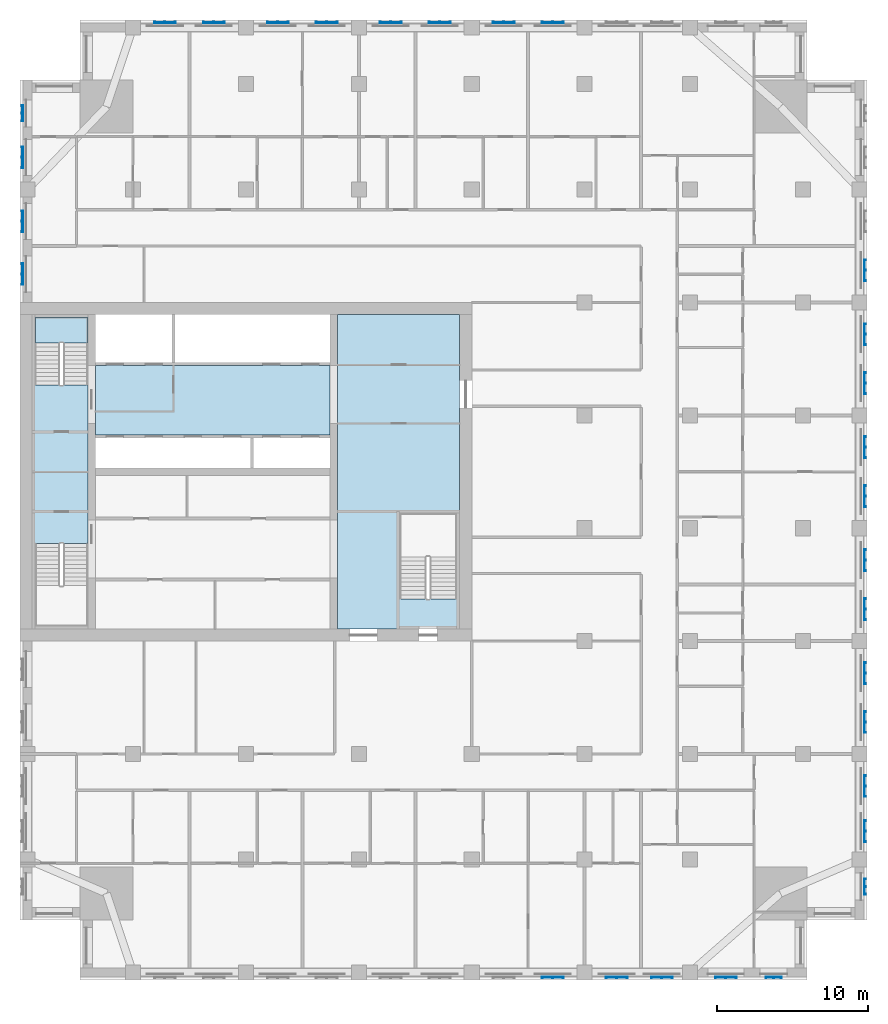
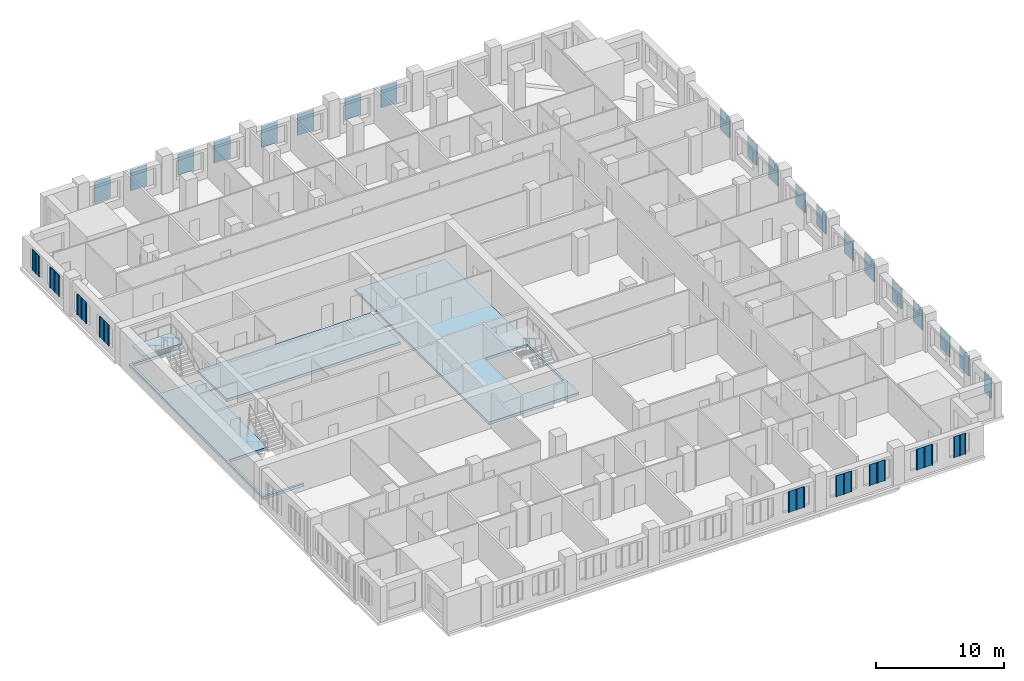
# One storey, part 2 of 14: 29 plates, 4 slabs, 1 element without a shape of its own.
"""IFC4 building model written with IfcOpenShell, lengths in metres."""

from ifc_helpers import new_model, si_unit, direction, frame, origin, place, context, subcontext, project, spatial, polyline, outline, extrude, material, layer, layer_set, type_object, element, aggregate, save


model = new_model("IFC4")

# Units and contexts
model_context = context("Model", 3, precision=1e-05, world=origin(), true_north=direction((0.0, 1.0)))
body_context = subcontext(model_context, "Body", "Model", "MODEL_VIEW")
ifc_project = project(units=[si_unit("LENGTHUNIT", "METRE"), si_unit("AREAUNIT", "SQUARE_METRE"), si_unit("VOLUMEUNIT", "CUBIC_METRE"), si_unit("PLANEANGLEUNIT", "RADIAN"), si_unit("MASSUNIT", "GRAM", prefix="KILO")], contexts=[model_context])

# Site, building, storey
site_placement = place(None, origin())
site = spatial("IfcSite", under=ifc_project, at=site_placement, CompositionType="ELEMENT")
building_placement = place(site_placement, origin())
building = spatial("IfcBuilding", under=site, at=building_placement, Name="Tamorin Gate", CompositionType="ELEMENT")
storey_placement = place(building_placement, frame((0.0, 0.0, 148.199951171875)))
storey = spatial("IfcBuildingStorey", under=building, at=storey_placement, Name="L36", CompositionType="ELEMENT", Elevation=148.199951171875)

# Slabs
ifc_material_1 = material(Name="Concrete C40/50", Category="concrete")
ifc_layer_1 = layer(ifc_material_1, 0.25)
ifc_layer_set_1 = layer_set([ifc_layer_1], Name="Core floor slab 250 C40/50")
slab_type_1 = type_object("IfcSlabType", Name="Core floor slab 250 C40/50", PredefinedType="FLOOR", material=ifc_layer_set_1)
slab_1_placement = place(storey_placement, frame((0.0, 0.0, -0.25)))
element("IfcSlab", 1, at=slab_1_placement, inside=storey, type_object=slab_type_1, Name="Core floor L36", PredefinedType="FLOOR", context=body_context, shape_type="SweptSolid", body=[
    extrude(outline(polyline([(51.10009765625, 81.699951171875), (59.199951171875, 81.699951171875), (59.199951171875, 60.800048828125), (51.10009765625, 60.800048828125), (51.10009765625, 81.699951171875)]), holes=[polyline([(55.199951171875, 62.800048828125), (59.0, 62.800048828125), (59.0, 68.5), (55.199951171875, 68.5), (55.199951171875, 62.800048828125)])]), origin(), (0.0, 0.0, 1.0), 0.25),
])
slab_2_placement = place(storey_placement, frame((0.0, 0.0, -0.25)))
element("IfcSlab", 2, at=slab_2_placement, inside=storey, type_object=slab_type_1, Name="Core floor L36", PredefinedType="FLOOR", context=body_context, shape_type="SweptSolid", body=[
    extrude(outline(polyline([(50.60009765625, 73.699951171875), (35.0, 73.699951171875), (35.0, 78.300048828125), (50.60009765625, 78.300048828125), (50.60009765625, 73.699951171875)])), origin(), (0.0, 0.0, 1.0), 0.25),
])
slab_3_placement = place(storey_placement, frame((0.0, 0.0, -0.25)))
element("IfcSlab", 3, at=slab_3_placement, inside=storey, type_object=slab_type_1, Name="Core floor L36", PredefinedType="FLOOR", context=body_context, shape_type="SweptSolid", body=[
    extrude(outline(polyline([(34.5, 60.800048828125), (30.800048828125, 60.800048828125), (30.800048828125, 81.699951171875), (34.5, 81.699951171875), (34.5, 81.5), (31.0, 81.5), (31.0, 77.0), (34.5, 77.0), (34.5, 66.5), (31.0, 66.5), (31.0, 61.0), (34.5, 61.0), (34.5, 60.800048828125)])), origin(), (0.0, 0.0, 1.0), 0.25),
])

# Stair, slab
stair_type = type_object("IfcStairType", Name="Exit stair", PredefinedType="HALF_TURN_STAIR", material=ifc_material_1)
stair_placement = place(storey_placement, origin())
stair = element("IfcStair", 4, at=stair_placement, inside=storey, type_object=stair_type, Name="L36 stair ST2", PredefinedType="HALF_TURN_STAIR")
ifc_layer_2 = layer(ifc_material_1, 0.199951171875)
ifc_layer_set_2 = layer_set([ifc_layer_2], Name="Exit stair landing 200")
slab_type_2 = type_object("IfcSlabType", Name="Exit stair landing 200", PredefinedType="LANDING", material=ifc_layer_set_2)
slab_4_placement = place(storey_placement, frame((0.0, 0.0, 1.60009765625)))
slab_4 = element("IfcSlab", 5, at=slab_4_placement, type_object=slab_type_2, Name="ST2 landing 1", PredefinedType="LANDING", context=body_context, shape_type="SweptSolid", body=[
    extrude(outline(polyline([(34.5, 79.800048828125), (34.5, 81.5), (31.0, 81.5), (31.0, 79.800048828125), (34.5, 79.800048828125)])), origin(), (0.0, 0.0, 1.0), 0.199951171875),
])
aggregate(stair, [slab_4])

# Plates
ifc_material_2 = material(Name="Perforated pale aluminium sheet", Category="aluminium")
ifc_layer_3 = layer(ifc_material_2, 0.0400390625)
ifc_layer_set_3 = layer_set([ifc_layer_3], Name="Pale metal solar screen 1080")
plate_type_1 = type_object("IfcPlateType", Name="Pale metal solar screen 1080", PredefinedType="SHEET", material=ifc_layer_set_3)
plate_1_placement = place(storey_placement, frame((0.0, 0.0, 0.7099609375)))
element("IfcPlate", 6, at=plate_1_placement, inside=storey, type_object=plate_type_1, Name="Perforated solar screen", PredefinedType="SHEET", context=body_context, shape_type="SweptSolid", body=[
    extrude(outline(polyline([(79.510009765625, 37.659912109375), (79.510009765625, 37.699951171875), (79.570068359375, 37.699951171875), (80.02001953125, 37.699951171875), (80.080078125, 37.699951171875), (80.530029296875, 37.699951171875), (80.590087890625, 37.699951171875), (80.590087890625, 37.659912109375), (80.590087890625, 37.60009765625), (80.530029296875, 37.60009765625), (80.530029296875, 37.659912109375), (80.080078125, 37.659912109375), (80.080078125, 37.60009765625), (80.02001953125, 37.60009765625), (80.02001953125, 37.659912109375), (79.570068359375, 37.659912109375), (79.570068359375, 37.60009765625), (79.510009765625, 37.60009765625), (79.510009765625, 37.659912109375)])), origin(), (0.0, 0.0, 1.0), 1.97998046875),
])
plate_2_placement = place(storey_placement, frame((0.0, 0.0, 0.7099609375)))
element("IfcPlate", 7, at=plate_2_placement, inside=storey, type_object=plate_type_1, Name="Perforated solar screen", PredefinedType="SHEET", context=body_context, shape_type="SweptSolid", body=[
    extrude(outline(polyline([(86.090087890625, 43.159912109375), (86.050048828125, 43.159912109375), (86.050048828125, 43.219970703125), (86.050048828125, 43.669921875), (86.050048828125, 43.72998046875), (86.050048828125, 44.179931640625), (86.050048828125, 44.239990234375), (86.090087890625, 44.239990234375), (86.14990234375, 44.239990234375), (86.14990234375, 44.179931640625), (86.090087890625, 44.179931640625), (86.090087890625, 43.72998046875), (86.14990234375, 43.72998046875), (86.14990234375, 43.669921875), (86.090087890625, 43.669921875), (86.090087890625, 43.219970703125), (86.14990234375, 43.219970703125), (86.14990234375, 43.159912109375), (86.090087890625, 43.159912109375)])), origin(), (0.0, 0.0, 1.0), 1.97998046875),
])
plate_3_placement = place(storey_placement, frame((0.0, 0.0, 0.7099609375)))
element("IfcPlate", 8, at=plate_3_placement, inside=storey, type_object=plate_type_1, Name="Perforated solar screen", PredefinedType="SHEET", context=body_context, shape_type="SweptSolid", body=[
    extrude(outline(polyline([(30.159912109375, 95.590087890625), (30.199951171875, 95.590087890625), (30.199951171875, 95.530029296875), (30.199951171875, 95.080078125), (30.199951171875, 95.02001953125), (30.199951171875, 94.570068359375), (30.199951171875, 94.510009765625), (30.159912109375, 94.510009765625), (30.10009765625, 94.510009765625), (30.10009765625, 94.570068359375), (30.159912109375, 94.570068359375), (30.159912109375, 95.02001953125), (30.10009765625, 95.02001953125), (30.10009765625, 95.080078125), (30.159912109375, 95.080078125), (30.159912109375, 95.530029296875), (30.10009765625, 95.530029296875), (30.10009765625, 95.590087890625), (30.159912109375, 95.590087890625)])), origin(), (0.0, 0.0, 1.0), 1.97998046875),
])
ifc_layer_4 = layer(ifc_material_2, 0.0400390625)
ifc_layer_set_4 = layer_set([ifc_layer_4], Name="Pale metal solar screen 1440")
plate_type_2 = type_object("IfcPlateType", Name="Pale metal solar screen 1440", PredefinedType="SHEET", material=ifc_layer_set_4)
plate_4_placement = place(storey_placement, frame((0.0, 0.0, 0.7099609375)))
element("IfcPlate", 9, at=plate_4_placement, inside=storey, type_object=plate_type_2, Name="Perforated solar screen", PredefinedType="SHEET", context=body_context, shape_type="SweptSolid", body=[
    extrude(outline(polyline([(64.655029296875, 37.659912109375), (64.655029296875, 37.699951171875), (64.715087890625, 37.699951171875), (65.344970703125, 37.699951171875), (65.405029296875, 37.699951171875), (66.034912109375, 37.699951171875), (66.094970703125, 37.699951171875), (66.094970703125, 37.659912109375), (66.094970703125, 37.60009765625), (66.034912109375, 37.60009765625), (66.034912109375, 37.659912109375), (65.405029296875, 37.659912109375), (65.405029296875, 37.60009765625), (65.344970703125, 37.60009765625), (65.344970703125, 37.659912109375), (64.715087890625, 37.659912109375), (64.715087890625, 37.60009765625), (64.655029296875, 37.60009765625), (64.655029296875, 37.659912109375)])), origin(), (0.0, 0.0, 1.0), 1.97998046875),
])
plate_5_placement = place(storey_placement, frame((0.0, 0.0, 0.7099609375)))
element("IfcPlate", 10, at=plate_5_placement, inside=storey, type_object=plate_type_2, Name="Perforated solar screen", PredefinedType="SHEET", context=body_context, shape_type="SweptSolid", body=[
    extrude(outline(polyline([(68.905029296875, 37.659912109375), (68.905029296875, 37.699951171875), (68.965087890625, 37.699951171875), (69.594970703125, 37.699951171875), (69.655029296875, 37.699951171875), (70.284912109375, 37.699951171875), (70.344970703125, 37.699951171875), (70.344970703125, 37.659912109375), (70.344970703125, 37.60009765625), (70.284912109375, 37.60009765625), (70.284912109375, 37.659912109375), (69.655029296875, 37.659912109375), (69.655029296875, 37.60009765625), (69.594970703125, 37.60009765625), (69.594970703125, 37.659912109375), (68.965087890625, 37.659912109375), (68.965087890625, 37.60009765625), (68.905029296875, 37.60009765625), (68.905029296875, 37.659912109375)])), origin(), (0.0, 0.0, 1.0), 1.97998046875),
])
plate_6_placement = place(storey_placement, frame((0.0, 0.0, 0.7099609375)))
element("IfcPlate", 11, at=plate_6_placement, inside=storey, type_object=plate_type_2, Name="Perforated solar screen", PredefinedType="SHEET", context=body_context, shape_type="SweptSolid", body=[
    extrude(outline(polyline([(71.905029296875, 37.659912109375), (71.905029296875, 37.699951171875), (71.965087890625, 37.699951171875), (72.594970703125, 37.699951171875), (72.655029296875, 37.699951171875), (73.284912109375, 37.699951171875), (73.344970703125, 37.699951171875), (73.344970703125, 37.659912109375), (73.344970703125, 37.60009765625), (73.284912109375, 37.60009765625), (73.284912109375, 37.659912109375), (72.655029296875, 37.659912109375), (72.655029296875, 37.60009765625), (72.594970703125, 37.60009765625), (72.594970703125, 37.659912109375), (71.965087890625, 37.659912109375), (71.965087890625, 37.60009765625), (71.905029296875, 37.60009765625), (71.905029296875, 37.659912109375)])), origin(), (0.0, 0.0, 1.0), 1.97998046875),
])
plate_7_placement = place(storey_placement, frame((0.0, 0.0, 0.7099609375)))
element("IfcPlate", 12, at=plate_7_placement, inside=storey, type_object=plate_type_2, Name="Perforated solar screen", PredefinedType="SHEET", context=body_context, shape_type="SweptSolid", body=[
    extrude(outline(polyline([(76.155029296875, 37.659912109375), (76.155029296875, 37.699951171875), (76.215087890625, 37.699951171875), (76.844970703125, 37.699951171875), (76.905029296875, 37.699951171875), (77.534912109375, 37.699951171875), (77.594970703125, 37.699951171875), (77.594970703125, 37.659912109375), (77.594970703125, 37.60009765625), (77.534912109375, 37.60009765625), (77.534912109375, 37.659912109375), (76.905029296875, 37.659912109375), (76.905029296875, 37.60009765625), (76.844970703125, 37.60009765625), (76.844970703125, 37.659912109375), (76.215087890625, 37.659912109375), (76.215087890625, 37.60009765625), (76.155029296875, 37.60009765625), (76.155029296875, 37.659912109375)])), origin(), (0.0, 0.0, 1.0), 1.97998046875),
])
plate_8_placement = place(storey_placement, frame((0.0, 0.0, 0.7099609375)))
element("IfcPlate", 13, at=plate_8_placement, inside=storey, type_object=plate_type_2, Name="Perforated solar screen", PredefinedType="SHEET", context=body_context, shape_type="SweptSolid", body=[
    extrude(outline(polyline([(86.090087890625, 46.655029296875), (86.050048828125, 46.655029296875), (86.050048828125, 46.715087890625), (86.050048828125, 47.344970703125), (86.050048828125, 47.405029296875), (86.050048828125, 48.034912109375), (86.050048828125, 48.094970703125), (86.050048828125, 48.094970703125), (86.090087890625, 48.094970703125), (86.090087890625, 48.094970703125), (86.14990234375, 48.094970703125), (86.14990234375, 48.034912109375), (86.090087890625, 48.034912109375), (86.090087890625, 47.405029296875), (86.14990234375, 47.405029296875), (86.14990234375, 47.344970703125), (86.090087890625, 47.344970703125), (86.090087890625, 46.715087890625), (86.14990234375, 46.715087890625), (86.14990234375, 46.655029296875), (86.090087890625, 46.655029296875)])), origin(), (0.0, 0.0, 1.0), 1.97998046875),
])
plate_9_placement = place(storey_placement, frame((0.0, 0.0, 0.7099609375)))
element("IfcPlate", 14, at=plate_9_placement, inside=storey, type_object=plate_type_2, Name="Perforated solar screen", PredefinedType="SHEET", context=body_context, shape_type="SweptSolid", body=[
    extrude(outline(polyline([(86.090087890625, 49.655029296875), (86.050048828125, 49.655029296875), (86.050048828125, 49.715087890625), (86.050048828125, 50.344970703125), (86.050048828125, 50.405029296875), (86.050048828125, 51.034912109375), (86.050048828125, 51.094970703125), (86.090087890625, 51.094970703125), (86.14990234375, 51.094970703125), (86.14990234375, 51.034912109375), (86.090087890625, 51.034912109375), (86.090087890625, 50.405029296875), (86.14990234375, 50.405029296875), (86.14990234375, 50.344970703125), (86.090087890625, 50.344970703125), (86.090087890625, 49.715087890625), (86.14990234375, 49.715087890625), (86.14990234375, 49.655029296875), (86.090087890625, 49.655029296875)])), origin(), (0.0, 0.0, 1.0), 1.97998046875),
])
plate_10_placement = place(storey_placement, frame((0.0, 0.0, 0.7099609375)))
element("IfcPlate", 15, at=plate_10_placement, inside=storey, type_object=plate_type_2, Name="Perforated solar screen", PredefinedType="SHEET", context=body_context, shape_type="SweptSolid", body=[
    extrude(outline(polyline([(86.090087890625, 53.905029296875), (86.050048828125, 53.905029296875), (86.050048828125, 53.965087890625), (86.050048828125, 54.594970703125), (86.050048828125, 54.655029296875), (86.050048828125, 55.284912109375), (86.050048828125, 55.344970703125), (86.090087890625, 55.344970703125), (86.14990234375, 55.344970703125), (86.14990234375, 55.284912109375), (86.090087890625, 55.284912109375), (86.090087890625, 54.655029296875), (86.14990234375, 54.655029296875), (86.14990234375, 54.594970703125), (86.090087890625, 54.594970703125), (86.090087890625, 53.965087890625), (86.14990234375, 53.965087890625), (86.14990234375, 53.905029296875), (86.090087890625, 53.905029296875)])), origin(), (0.0, 0.0, 1.0), 1.97998046875),
])
plate_11_placement = place(storey_placement, frame((0.0, 0.0, 0.7099609375)))
element("IfcPlate", 16, at=plate_11_placement, inside=storey, type_object=plate_type_2, Name="Perforated solar screen", PredefinedType="SHEET", context=body_context, shape_type="SweptSolid", body=[
    extrude(outline(polyline([(86.090087890625, 57.155029296875), (86.050048828125, 57.155029296875), (86.050048828125, 57.215087890625), (86.050048828125, 57.844970703125), (86.050048828125, 57.905029296875), (86.050048828125, 58.534912109375), (86.050048828125, 58.594970703125), (86.090087890625, 58.594970703125), (86.14990234375, 58.594970703125), (86.14990234375, 58.534912109375), (86.090087890625, 58.534912109375), (86.090087890625, 57.905029296875), (86.14990234375, 57.905029296875), (86.14990234375, 57.844970703125), (86.090087890625, 57.844970703125), (86.090087890625, 57.215087890625), (86.14990234375, 57.215087890625), (86.14990234375, 57.155029296875), (86.090087890625, 57.155029296875)])), origin(), (0.0, 0.0, 1.0), 1.97998046875),
])
plate_12_placement = place(storey_placement, frame((0.0, 0.0, 0.7099609375)))
element("IfcPlate", 17, at=plate_12_placement, inside=storey, type_object=plate_type_2, Name="Perforated solar screen", PredefinedType="SHEET", context=body_context, shape_type="SweptSolid", body=[
    extrude(outline(polyline([(86.090087890625, 61.405029296875), (86.050048828125, 61.405029296875), (86.050048828125, 61.465087890625), (86.050048828125, 62.094970703125), (86.050048828125, 62.155029296875), (86.050048828125, 62.784912109375), (86.050048828125, 62.844970703125), (86.090087890625, 62.844970703125), (86.14990234375, 62.844970703125), (86.14990234375, 62.784912109375), (86.090087890625, 62.784912109375), (86.090087890625, 62.155029296875), (86.14990234375, 62.155029296875), (86.14990234375, 62.094970703125), (86.090087890625, 62.094970703125), (86.090087890625, 61.465087890625), (86.14990234375, 61.465087890625), (86.14990234375, 61.405029296875), (86.090087890625, 61.405029296875)])), origin(), (0.0, 0.0, 1.0), 1.97998046875),
])
plate_13_placement = place(storey_placement, frame((0.0, 0.0, 0.7099609375)))
element("IfcPlate", 18, at=plate_13_placement, inside=storey, type_object=plate_type_2, Name="Perforated solar screen", PredefinedType="SHEET", context=body_context, shape_type="SweptSolid", body=[
    extrude(outline(polyline([(86.090087890625, 64.655029296875), (86.050048828125, 64.655029296875), (86.050048828125, 64.715087890625), (86.050048828125, 65.344970703125), (86.050048828125, 65.405029296875), (86.050048828125, 66.034912109375), (86.050048828125, 66.094970703125), (86.090087890625, 66.094970703125), (86.14990234375, 66.094970703125), (86.14990234375, 66.034912109375), (86.090087890625, 66.034912109375), (86.090087890625, 65.405029296875), (86.14990234375, 65.405029296875), (86.14990234375, 65.344970703125), (86.090087890625, 65.344970703125), (86.090087890625, 64.715087890625), (86.14990234375, 64.715087890625), (86.14990234375, 64.655029296875), (86.090087890625, 64.655029296875)])), origin(), (0.0, 0.0, 1.0), 1.97998046875),
])
plate_14_placement = place(storey_placement, frame((0.0, 0.0, 0.7099609375)))
element("IfcPlate", 19, at=plate_14_placement, inside=storey, type_object=plate_type_2, Name="Perforated solar screen", PredefinedType="SHEET", context=body_context, shape_type="SweptSolid", body=[
    extrude(outline(polyline([(86.090087890625, 68.905029296875), (86.050048828125, 68.905029296875), (86.050048828125, 68.965087890625), (86.050048828125, 69.594970703125), (86.050048828125, 69.655029296875), (86.050048828125, 70.284912109375), (86.050048828125, 70.344970703125), (86.090087890625, 70.344970703125), (86.14990234375, 70.344970703125), (86.14990234375, 70.284912109375), (86.090087890625, 70.284912109375), (86.090087890625, 69.655029296875), (86.14990234375, 69.655029296875), (86.14990234375, 69.594970703125), (86.090087890625, 69.594970703125), (86.090087890625, 68.965087890625), (86.14990234375, 68.965087890625), (86.14990234375, 68.905029296875), (86.090087890625, 68.905029296875)])), origin(), (0.0, 0.0, 1.0), 1.97998046875),
])
plate_15_placement = place(storey_placement, frame((0.0, 0.0, 0.7099609375)))
element("IfcPlate", 20, at=plate_15_placement, inside=storey, type_object=plate_type_2, Name="Perforated solar screen", PredefinedType="SHEET", context=body_context, shape_type="SweptSolid", body=[
    extrude(outline(polyline([(86.090087890625, 72.155029296875), (86.050048828125, 72.155029296875), (86.050048828125, 72.215087890625), (86.050048828125, 72.844970703125), (86.050048828125, 72.905029296875), (86.050048828125, 73.534912109375), (86.050048828125, 73.594970703125), (86.090087890625, 73.594970703125), (86.14990234375, 73.594970703125), (86.14990234375, 73.534912109375), (86.090087890625, 73.534912109375), (86.090087890625, 72.905029296875), (86.14990234375, 72.905029296875), (86.14990234375, 72.844970703125), (86.090087890625, 72.844970703125), (86.090087890625, 72.215087890625), (86.14990234375, 72.215087890625), (86.14990234375, 72.155029296875), (86.090087890625, 72.155029296875)])), origin(), (0.0, 0.0, 1.0), 1.97998046875),
])
plate_16_placement = place(storey_placement, frame((0.0, 0.0, 0.7099609375)))
element("IfcPlate", 21, at=plate_16_placement, inside=storey, type_object=plate_type_2, Name="Perforated solar screen", PredefinedType="SHEET", context=body_context, shape_type="SweptSolid", body=[
    extrude(outline(polyline([(86.090087890625, 76.405029296875), (86.050048828125, 76.405029296875), (86.050048828125, 76.465087890625), (86.050048828125, 77.094970703125), (86.050048828125, 77.155029296875), (86.050048828125, 77.784912109375), (86.050048828125, 77.844970703125), (86.090087890625, 77.844970703125), (86.14990234375, 77.844970703125), (86.14990234375, 77.784912109375), (86.090087890625, 77.784912109375), (86.090087890625, 77.155029296875), (86.14990234375, 77.155029296875), (86.14990234375, 77.094970703125), (86.090087890625, 77.094970703125), (86.090087890625, 76.465087890625), (86.14990234375, 76.465087890625), (86.14990234375, 76.405029296875), (86.090087890625, 76.405029296875)])), origin(), (0.0, 0.0, 1.0), 1.97998046875),
])
plate_17_placement = place(storey_placement, frame((0.0, 0.0, 0.7099609375)))
element("IfcPlate", 22, at=plate_17_placement, inside=storey, type_object=plate_type_2, Name="Perforated solar screen", PredefinedType="SHEET", context=body_context, shape_type="SweptSolid", body=[
    extrude(outline(polyline([(86.090087890625, 79.655029296875), (86.050048828125, 79.655029296875), (86.050048828125, 79.715087890625), (86.050048828125, 80.344970703125), (86.050048828125, 80.405029296875), (86.050048828125, 81.034912109375), (86.050048828125, 81.094970703125), (86.090087890625, 81.094970703125), (86.14990234375, 81.094970703125), (86.14990234375, 81.034912109375), (86.090087890625, 81.034912109375), (86.090087890625, 80.405029296875), (86.14990234375, 80.405029296875), (86.14990234375, 80.344970703125), (86.090087890625, 80.344970703125), (86.090087890625, 79.715087890625), (86.14990234375, 79.715087890625), (86.14990234375, 79.655029296875), (86.090087890625, 79.655029296875)])), origin(), (0.0, 0.0, 1.0), 1.97998046875),
])
plate_18_placement = place(storey_placement, frame((0.0, 0.0, 0.7099609375)))
element("IfcPlate", 23, at=plate_18_placement, inside=storey, type_object=plate_type_2, Name="Perforated solar screen", PredefinedType="SHEET", context=body_context, shape_type="SweptSolid", body=[
    extrude(outline(polyline([(86.090087890625, 83.905029296875), (86.050048828125, 83.905029296875), (86.050048828125, 83.965087890625), (86.050048828125, 84.594970703125), (86.050048828125, 84.655029296875), (86.050048828125, 85.284912109375), (86.050048828125, 85.344970703125), (86.090087890625, 85.344970703125), (86.14990234375, 85.344970703125), (86.14990234375, 85.284912109375), (86.090087890625, 85.284912109375), (86.090087890625, 84.655029296875), (86.14990234375, 84.655029296875), (86.14990234375, 84.594970703125), (86.090087890625, 84.594970703125), (86.090087890625, 83.965087890625), (86.14990234375, 83.965087890625), (86.14990234375, 83.905029296875), (86.090087890625, 83.905029296875)])), origin(), (0.0, 0.0, 1.0), 1.97998046875),
])
plate_19_placement = place(storey_placement, frame((0.0, 0.0, 0.7099609375)))
element("IfcPlate", 24, at=plate_19_placement, inside=storey, type_object=plate_type_2, Name="Perforated solar screen", PredefinedType="SHEET", context=body_context, shape_type="SweptSolid", body=[
    extrude(outline(polyline([(62.844970703125, 101.090087890625), (62.844970703125, 101.050048828125), (62.784912109375, 101.050048828125), (62.155029296875, 101.050048828125), (62.094970703125, 101.050048828125), (61.465087890625, 101.050048828125), (61.405029296875, 101.050048828125), (61.405029296875, 101.090087890625), (61.405029296875, 101.14990234375), (61.465087890625, 101.14990234375), (61.465087890625, 101.090087890625), (62.094970703125, 101.090087890625), (62.094970703125, 101.14990234375), (62.155029296875, 101.14990234375), (62.155029296875, 101.090087890625), (62.784912109375, 101.090087890625), (62.784912109375, 101.14990234375), (62.844970703125, 101.14990234375), (62.844970703125, 101.090087890625)])), origin(), (0.0, 0.0, 1.0), 1.97998046875),
])
plate_20_placement = place(storey_placement, frame((0.0, 0.0, 0.7099609375)))
element("IfcPlate", 25, at=plate_20_placement, inside=storey, type_object=plate_type_2, Name="Perforated solar screen", PredefinedType="SHEET", context=body_context, shape_type="SweptSolid", body=[
    extrude(outline(polyline([(66.094970703125, 101.090087890625), (66.094970703125, 101.050048828125), (66.034912109375, 101.050048828125), (65.405029296875, 101.050048828125), (65.344970703125, 101.050048828125), (64.715087890625, 101.050048828125), (64.655029296875, 101.050048828125), (64.655029296875, 101.090087890625), (64.655029296875, 101.14990234375), (64.715087890625, 101.14990234375), (64.715087890625, 101.090087890625), (65.344970703125, 101.090087890625), (65.344970703125, 101.14990234375), (65.405029296875, 101.14990234375), (65.405029296875, 101.090087890625), (66.034912109375, 101.090087890625), (66.034912109375, 101.14990234375), (66.094970703125, 101.14990234375), (66.094970703125, 101.090087890625)])), origin(), (0.0, 0.0, 1.0), 1.97998046875),
])
plate_21_placement = place(storey_placement, frame((0.0, 0.0, 0.7099609375)))
element("IfcPlate", 26, at=plate_21_placement, inside=storey, type_object=plate_type_2, Name="Perforated solar screen", PredefinedType="SHEET", context=body_context, shape_type="SweptSolid", body=[
    extrude(outline(polyline([(55.344970703125, 101.090087890625), (55.344970703125, 101.050048828125), (55.284912109375, 101.050048828125), (54.655029296875, 101.050048828125), (54.594970703125, 101.050048828125), (53.965087890625, 101.050048828125), (53.905029296875, 101.050048828125), (53.905029296875, 101.090087890625), (53.905029296875, 101.14990234375), (53.965087890625, 101.14990234375), (53.965087890625, 101.090087890625), (54.594970703125, 101.090087890625), (54.594970703125, 101.14990234375), (54.655029296875, 101.14990234375), (54.655029296875, 101.090087890625), (55.284912109375, 101.090087890625), (55.284912109375, 101.14990234375), (55.344970703125, 101.14990234375), (55.344970703125, 101.090087890625)])), origin(), (0.0, 0.0, 1.0), 1.97998046875),
])
plate_22_placement = place(storey_placement, frame((0.0, 0.0, 0.7099609375)))
element("IfcPlate", 27, at=plate_22_placement, inside=storey, type_object=plate_type_2, Name="Perforated solar screen", PredefinedType="SHEET", context=body_context, shape_type="SweptSolid", body=[
    extrude(outline(polyline([(58.594970703125, 101.090087890625), (58.594970703125, 101.050048828125), (58.534912109375, 101.050048828125), (57.905029296875, 101.050048828125), (57.844970703125, 101.050048828125), (57.215087890625, 101.050048828125), (57.155029296875, 101.050048828125), (57.155029296875, 101.090087890625), (57.155029296875, 101.14990234375), (57.215087890625, 101.14990234375), (57.215087890625, 101.090087890625), (57.844970703125, 101.090087890625), (57.844970703125, 101.14990234375), (57.905029296875, 101.14990234375), (57.905029296875, 101.090087890625), (58.534912109375, 101.090087890625), (58.534912109375, 101.14990234375), (58.594970703125, 101.14990234375), (58.594970703125, 101.090087890625)])), origin(), (0.0, 0.0, 1.0), 1.97998046875),
])
plate_23_placement = place(storey_placement, frame((0.0, 0.0, 0.7099609375)))
element("IfcPlate", 28, at=plate_23_placement, inside=storey, type_object=plate_type_2, Name="Perforated solar screen", PredefinedType="SHEET", context=body_context, shape_type="SweptSolid", body=[
    extrude(outline(polyline([(47.844970703125, 101.090087890625), (47.844970703125, 101.050048828125), (47.784912109375, 101.050048828125), (47.155029296875, 101.050048828125), (47.094970703125, 101.050048828125), (46.465087890625, 101.050048828125), (46.405029296875, 101.050048828125), (46.405029296875, 101.090087890625), (46.405029296875, 101.14990234375), (46.465087890625, 101.14990234375), (46.465087890625, 101.090087890625), (47.094970703125, 101.090087890625), (47.094970703125, 101.14990234375), (47.155029296875, 101.14990234375), (47.155029296875, 101.090087890625), (47.784912109375, 101.090087890625), (47.784912109375, 101.14990234375), (47.844970703125, 101.14990234375), (47.844970703125, 101.090087890625)])), origin(), (0.0, 0.0, 1.0), 1.97998046875),
])
plate_24_placement = place(storey_placement, frame((0.0, 0.0, 0.7099609375)))
element("IfcPlate", 29, at=plate_24_placement, inside=storey, type_object=plate_type_2, Name="Perforated solar screen", PredefinedType="SHEET", context=body_context, shape_type="SweptSolid", body=[
    extrude(outline(polyline([(51.094970703125, 101.090087890625), (51.094970703125, 101.050048828125), (51.034912109375, 101.050048828125), (50.405029296875, 101.050048828125), (50.344970703125, 101.050048828125), (49.715087890625, 101.050048828125), (49.655029296875, 101.050048828125), (49.655029296875, 101.090087890625), (49.655029296875, 101.14990234375), (49.715087890625, 101.14990234375), (49.715087890625, 101.090087890625), (50.344970703125, 101.090087890625), (50.344970703125, 101.14990234375), (50.405029296875, 101.14990234375), (50.405029296875, 101.090087890625), (51.034912109375, 101.090087890625), (51.034912109375, 101.14990234375), (51.094970703125, 101.14990234375), (51.094970703125, 101.090087890625)])), origin(), (0.0, 0.0, 1.0), 1.97998046875),
])
plate_25_placement = place(storey_placement, frame((0.0, 0.0, 0.7099609375)))
element("IfcPlate", 30, at=plate_25_placement, inside=storey, type_object=plate_type_2, Name="Perforated solar screen", PredefinedType="SHEET", context=body_context, shape_type="SweptSolid", body=[
    extrude(outline(polyline([(40.344970703125, 101.090087890625), (40.344970703125, 101.050048828125), (40.284912109375, 101.050048828125), (39.655029296875, 101.050048828125), (39.594970703125, 101.050048828125), (38.965087890625, 101.050048828125), (38.905029296875, 101.050048828125), (38.905029296875, 101.090087890625), (38.905029296875, 101.14990234375), (38.965087890625, 101.14990234375), (38.965087890625, 101.090087890625), (39.594970703125, 101.090087890625), (39.594970703125, 101.14990234375), (39.655029296875, 101.14990234375), (39.655029296875, 101.090087890625), (40.284912109375, 101.090087890625), (40.284912109375, 101.14990234375), (40.344970703125, 101.14990234375), (40.344970703125, 101.090087890625)])), origin(), (0.0, 0.0, 1.0), 1.97998046875),
])
plate_26_placement = place(storey_placement, frame((0.0, 0.0, 0.7099609375)))
element("IfcPlate", 31, at=plate_26_placement, inside=storey, type_object=plate_type_2, Name="Perforated solar screen", PredefinedType="SHEET", context=body_context, shape_type="SweptSolid", body=[
    extrude(outline(polyline([(43.594970703125, 101.090087890625), (43.594970703125, 101.050048828125), (43.534912109375, 101.050048828125), (42.905029296875, 101.050048828125), (42.844970703125, 101.050048828125), (42.215087890625, 101.050048828125), (42.155029296875, 101.050048828125), (42.155029296875, 101.090087890625), (42.155029296875, 101.14990234375), (42.215087890625, 101.14990234375), (42.215087890625, 101.090087890625), (42.844970703125, 101.090087890625), (42.844970703125, 101.14990234375), (42.905029296875, 101.14990234375), (42.905029296875, 101.090087890625), (43.534912109375, 101.090087890625), (43.534912109375, 101.14990234375), (43.594970703125, 101.14990234375), (43.594970703125, 101.090087890625)])), origin(), (0.0, 0.0, 1.0), 1.97998046875),
])
plate_27_placement = place(storey_placement, frame((0.0, 0.0, 0.7099609375)))
element("IfcPlate", 32, at=plate_27_placement, inside=storey, type_object=plate_type_2, Name="Perforated solar screen", PredefinedType="SHEET", context=body_context, shape_type="SweptSolid", body=[
    extrude(outline(polyline([(30.159912109375, 92.844970703125), (30.199951171875, 92.844970703125), (30.199951171875, 92.784912109375), (30.199951171875, 92.155029296875), (30.199951171875, 92.094970703125), (30.199951171875, 91.465087890625), (30.199951171875, 91.405029296875), (30.199951171875, 91.405029296875), (30.159912109375, 91.405029296875), (30.159912109375, 91.405029296875), (30.10009765625, 91.405029296875), (30.10009765625, 91.465087890625), (30.159912109375, 91.465087890625), (30.159912109375, 92.094970703125), (30.10009765625, 92.094970703125), (30.10009765625, 92.155029296875), (30.159912109375, 92.155029296875), (30.159912109375, 92.784912109375), (30.10009765625, 92.784912109375), (30.10009765625, 92.844970703125), (30.159912109375, 92.844970703125)])), origin(), (0.0, 0.0, 1.0), 1.97998046875),
])
plate_28_placement = place(storey_placement, frame((0.0, 0.0, 0.7099609375)))
element("IfcPlate", 33, at=plate_28_placement, inside=storey, type_object=plate_type_2, Name="Perforated solar screen", PredefinedType="SHEET", context=body_context, shape_type="SweptSolid", body=[
    extrude(outline(polyline([(30.159912109375, 85.094970703125), (30.199951171875, 85.094970703125), (30.199951171875, 85.034912109375), (30.199951171875, 84.405029296875), (30.199951171875, 84.344970703125), (30.199951171875, 83.715087890625), (30.199951171875, 83.655029296875), (30.159912109375, 83.655029296875), (30.10009765625, 83.655029296875), (30.10009765625, 83.715087890625), (30.159912109375, 83.715087890625), (30.159912109375, 84.344970703125), (30.10009765625, 84.344970703125), (30.10009765625, 84.405029296875), (30.159912109375, 84.405029296875), (30.159912109375, 85.034912109375), (30.10009765625, 85.034912109375), (30.10009765625, 85.094970703125), (30.159912109375, 85.094970703125)])), origin(), (0.0, 0.0, 1.0), 1.97998046875),
])
plate_29_placement = place(storey_placement, frame((0.0, 0.0, 0.7099609375)))
element("IfcPlate", 34, at=plate_29_placement, inside=storey, type_object=plate_type_2, Name="Perforated solar screen", PredefinedType="SHEET", context=body_context, shape_type="SweptSolid", body=[
    extrude(outline(polyline([(30.159912109375, 88.594970703125), (30.199951171875, 88.594970703125), (30.199951171875, 88.534912109375), (30.199951171875, 87.905029296875), (30.199951171875, 87.844970703125), (30.199951171875, 87.215087890625), (30.199951171875, 87.155029296875), (30.159912109375, 87.155029296875), (30.10009765625, 87.155029296875), (30.10009765625, 87.215087890625), (30.159912109375, 87.215087890625), (30.159912109375, 87.844970703125), (30.10009765625, 87.844970703125), (30.10009765625, 87.905029296875), (30.159912109375, 87.905029296875), (30.159912109375, 88.534912109375), (30.10009765625, 88.534912109375), (30.10009765625, 88.594970703125), (30.159912109375, 88.594970703125)])), origin(), (0.0, 0.0, 1.0), 1.97998046875),
])

save(model, "model.ifc")
